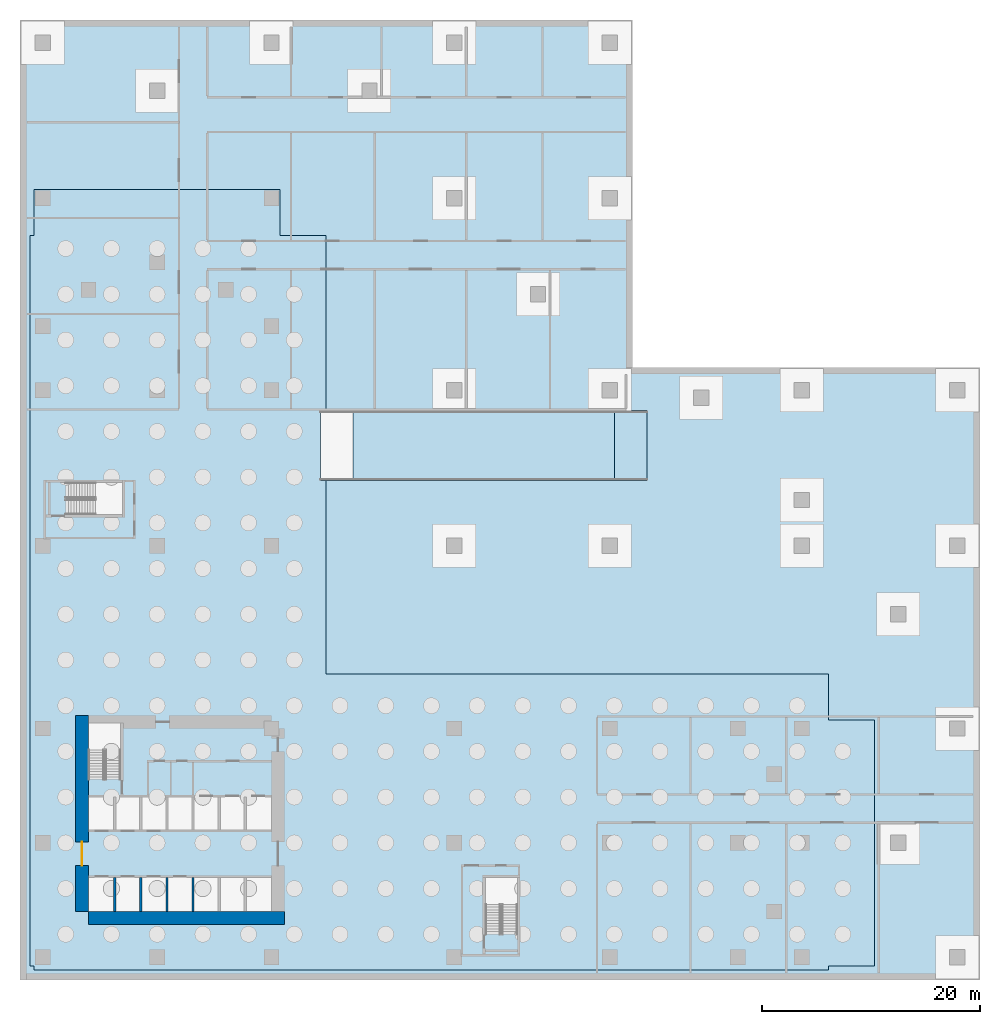
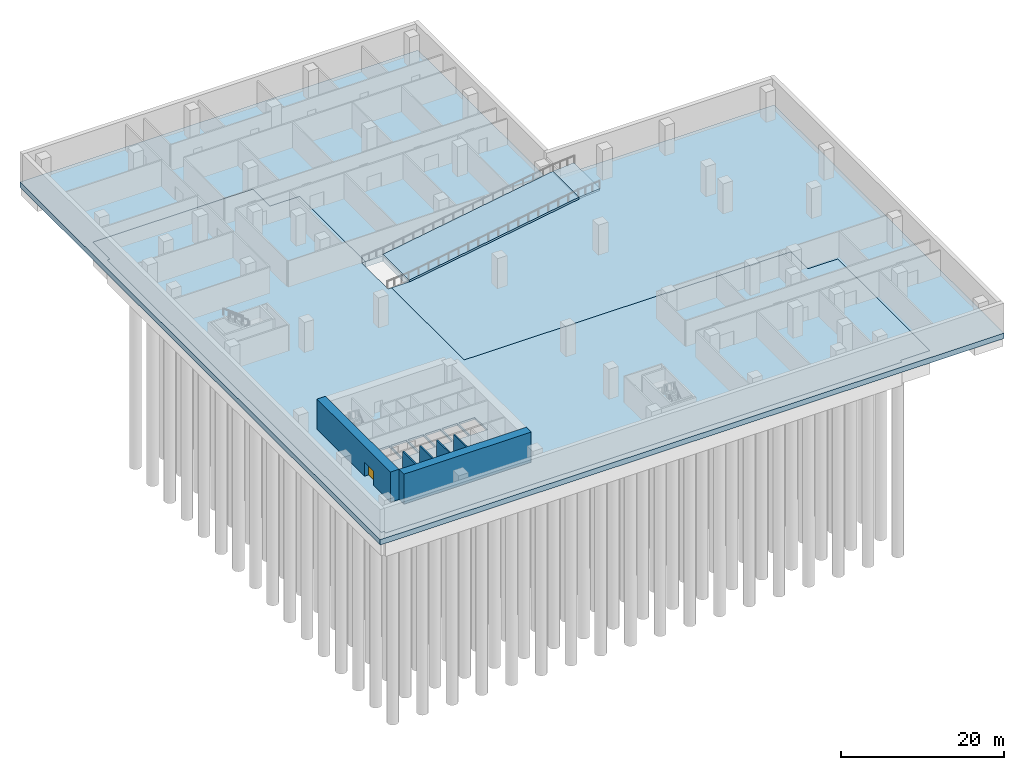
# One storey, part 2 of 13: 6 walls, 4 slabs, 1 door, 1 opening.
"""IFC4 building model written with IfcOpenShell, lengths in metres."""

from ifc_helpers import new_model, si_unit, direction, frame, frame_2d, origin, place, context, subcontext, project, spatial, polyline, rectangle, outline, extrude, source, transform, mapped, material, layer, layer_set, type_object, element, fill, save


model = new_model("IFC4")

# Units and contexts
model_context = context("Model", 3, precision=1e-05, world=origin(), true_north=direction((0.0, 1.0)))
body_context = subcontext(model_context, "Body", "Model", "MODEL_VIEW")
ifc_project = project(units=[si_unit("LENGTHUNIT", "METRE"), si_unit("AREAUNIT", "SQUARE_METRE"), si_unit("VOLUMEUNIT", "CUBIC_METRE"), si_unit("PLANEANGLEUNIT", "RADIAN"), si_unit("MASSUNIT", "GRAM", prefix="KILO")], contexts=[model_context])

# Site, building, storey
site_placement = place(None, origin())
site = spatial("IfcSite", under=ifc_project, at=site_placement, CompositionType="ELEMENT")
building_placement = place(site_placement, origin())
building = spatial("IfcBuilding", under=site, at=building_placement, Name="Aurelian Terraces", CompositionType="ELEMENT")
storey_placement = place(building_placement, frame((0.0, 0.0, -13.5)))
storey = spatial("IfcBuildingStorey", under=building, at=storey_placement, Name="B3", CompositionType="ELEMENT", Elevation=-13.5)

# Slabs
ifc_material_1 = material(Name="Concrete fc' 40 MPa", Category="concrete")
ifc_layer_1 = layer(ifc_material_1, 0.3)
ifc_layer_set_1 = layer_set([ifc_layer_1], Name="BASE SLAB 300")
slab_type_1 = type_object("IfcSlabType", Name="BASE SLAB 300", PredefinedType="BASESLAB", material=ifc_layer_set_1)
slab_1_placement = place(storey_placement, frame((0.0, 0.0, -0.3)))
element("IfcSlab", 1, at=slab_1_placement, inside=storey, type_object=slab_type_1, Name="Base slab over raft 1", PredefinedType="BASESLAB", context=body_context, shape_type="SweptSolid", body=[
    extrude(outline(polyline([(-0.8, 66.32), (-0.8, 70.52), (21.8, 70.52), (21.8, 66.32), (26.0, 66.32), (26.0, 50.1995), (25.5005, 50.1995), (25.5005, 43.8005), (26.0, 43.8005), (26.0, 26.0), (72.2, 26.0), (72.2, 21.8), (76.4, 21.8), (76.4, -0.8), (72.2, -0.8), (72.2, -1.2), (-0.8, -1.2), (-0.8, -0.8), (-1.2, -0.8), (-1.2, 66.32), (-0.8, 66.32)]), holes=[polyline([(4.2, 7.3), (4.2, 4.2), (6.5, 4.2), (6.5, 7.3), (4.2, 7.3)]), polyline([(8.9, 7.3), (6.7, 7.3), (6.7, 4.2), (8.9, 4.2), (8.9, 7.3)]), polyline([(11.3, 7.3), (9.1, 7.3), (9.1, 4.2), (11.3, 4.2), (11.3, 7.3)]), polyline([(13.7, 7.3), (11.5, 7.3), (11.5, 4.2), (13.7, 4.2), (13.7, 7.3)]), polyline([(6.5, 14.7), (4.2, 14.7), (4.2, 11.7), (6.5, 11.7), (6.5, 14.7)]), polyline([(8.9, 14.7), (6.7, 14.7), (6.7, 11.7), (8.9, 11.7), (8.9, 14.7)]), polyline([(11.3, 14.7), (9.1, 14.7), (9.1, 11.7), (11.3, 11.7), (11.3, 14.7)]), polyline([(13.9, 7.3), (13.9, 4.2), (16.1, 4.2), (16.1, 7.3), (13.9, 7.3)]), polyline([(18.5, 7.3), (16.3, 7.3), (16.3, 4.2), (18.5, 4.2), (18.5, 7.3)]), polyline([(21.0, 7.3), (18.7, 7.3), (18.7, 4.2), (21.0, 4.2), (21.0, 7.3)]), polyline([(13.7, 14.7), (11.5, 14.7), (11.5, 11.7), (13.7, 11.7), (13.7, 14.7)]), polyline([(16.1, 14.7), (13.9, 14.7), (13.9, 11.7), (16.1, 11.7), (16.1, 14.7)]), polyline([(18.5, 14.7), (16.3, 14.7), (16.3, 11.7), (18.5, 11.7), (18.5, 14.7)]), polyline([(21.0, 14.7), (18.7, 14.7), (18.7, 11.7), (21.0, 11.7), (21.0, 14.7)])]), origin(), (0.0, 0.0, 1.0), 0.3),
])
ifc_layer_2 = layer(ifc_material_1, 0.8)
ifc_layer_set_2 = layer_set([ifc_layer_2], Name="BASE SLAB 800")
slab_type_2 = type_object("IfcSlabType", Name="BASE SLAB 800", PredefinedType="BASESLAB", material=ifc_layer_set_2)
slab_2_placement = place(storey_placement, frame((0.0, 0.0, -0.8)))
element("IfcSlab", 2, at=slab_2_placement, inside=storey, type_object=slab_type_2, Name="Base slab 1", PredefinedType="BASESLAB", context=body_context, shape_type="SweptSolid", body=[
    extrude(outline(polyline([(54.18, -2.1), (-2.1, -2.1), (-2.1, 54.18), (-2.1, 86.1), (54.18, 86.1), (54.18, 54.18), (86.1, 54.18), (86.1, -2.1), (54.18, -2.1)]), holes=[polyline([(-0.8, -1.2), (72.2, -1.2), (72.2, -0.8), (76.4, -0.8), (76.4, 21.8), (72.2, 21.8), (72.2, 26.0), (26.0, 26.0), (26.0, 43.8005), (28.5, 43.8005), (28.5, 50.1995), (26.0, 50.1995), (26.0, 66.32), (21.8, 66.32), (21.8, 70.52), (-0.8, 70.52), (-0.8, 66.32), (-1.2, 66.32), (-1.2, -0.8), (-0.8, -0.8), (-0.8, -1.2)])]), origin(), (0.0, 0.0, 1.0), 0.8),
])
ifc_layer_3 = layer(ifc_material_1, 0.3)
ifc_layer_set_3 = layer_set([ifc_layer_3], Name="CAR PARK RAMP SLAB 300 FC40")
slab_type_3 = type_object("IfcSlabType", Name="CAR PARK RAMP SLAB 300 FC40", PredefinedType="FLOOR", material=ifc_layer_set_3)
slab_3_placement = place(storey_placement, frame((28.5, 43.8, 0.25), z_axis=(0.0, 0.0, 1.0), x_axis=(1.0, 0.0, 0.0)))
element("IfcSlab", 3, at=slab_3_placement, inside=storey, type_object=slab_type_3, Name="Car park ramp R3 slab piece 2", PredefinedType="FLOOR", context=body_context, shape_type="SweptSolid", body=[
    extrude(outline(polyline([(0.0, 0.0), (24.0, 4.0), (24.0, 3.7), (0.0, -0.3), (0.0, 0.0)])), frame((0.0, 6.4, 0.0), z_axis=(0.0, -1.0, 0.0), x_axis=(1.0, 0.0, 0.0)), (0.0, 0.0, 1.0), 6.4),
])
slab_4_placement = place(storey_placement, frame((52.5, 43.8, 4.25), z_axis=(0.0, 0.0, 1.0), x_axis=(1.0, 0.0, 0.0)))
element("IfcSlab", 4, at=slab_4_placement, inside=storey, type_object=slab_type_3, Name="Car park ramp R3 slab piece 3", PredefinedType="FLOOR", context=body_context, shape_type="SweptSolid", body=[
    extrude(outline(polyline([(0.0, 0.0), (3.0, 0.25), (3.0, -0.05), (0.0, -0.3), (0.0, 0.0)])), frame((0.0, 6.4, 0.0), z_axis=(0.0, -1.0, 0.0), x_axis=(1.0, 0.0, 0.0)), (0.0, 0.0, 1.0), 6.4),
])

# Wall, opening, door
ifc_material_2 = material(Name="Concrete fc' 83 MPa", Category="concrete")
ifc_layer_4 = layer(ifc_material_2, 1.2)
ifc_layer_set_4 = layer_set([ifc_layer_4], Name="CORE WALL 1200 FC83")
wall_type_1 = type_object("IfcWallType", Name="CORE WALL 1200 FC83", PredefinedType="SHEAR", material=ifc_layer_set_4)
wall_1_placement = place(storey_placement, frame((3.6, 4.2, 0.0), z_axis=(0.0, 0.0, 1.0), x_axis=(0.0, 1.0, 0.0)))
wall_1 = element("IfcWall", 5, at=wall_1_placement, inside=storey, type_object=wall_type_1, Name="Core wall W B3", PredefinedType="SHEAR", context=body_context, shape_type="SweptSolid", body=[
    extrude(rectangle(XDim=18.0, YDim=1.2, at=frame_2d((9.0, 0.0))), origin(), (0.0, 0.0, 1.0), 4.5),
])
shared_shape_1 = source(origin(), body_context, "Body", "SweptSolid", [
    extrude(rectangle(XDim=2.2, YDim=2.1, at=frame_2d((1.1, 1.05))), frame((0.0, 0.61, 0.0), z_axis=(0.0, -1.0, 0.0), x_axis=(1.0, 0.0, 0.0)), (0.0, 0.0, 1.0), 1.22),
])
opening_placement = place(wall_1_placement, frame((4.2, 0.0, 0.0)))
opening = element("IfcOpeningElement", 6, at=opening_placement, cuts=wall_1, Name="Opening 60021", PredefinedType="OPENING", context=body_context, shape_type="MappedRepresentation", body=[
    mapped(shared_shape_1, transform((0.0, 0.0, 0.0), scale=1.0)),
])
ifc_material_3 = material(Name="Steel door leaf", Category="steel")
door_type = type_object("IfcDoorType", Name="Core double door 2200x2100", OperationType="DOUBLE_DOOR_SINGLE_SWING", PredefinedType="DOOR", material=ifc_material_3)
shared_shape_2 = source(origin(), body_context, "Body", "SweptSolid", [
    extrude(rectangle(XDim=2.2, YDim=2.1, at=frame_2d((1.1, 1.05))), frame((0.0, 0.025, 0.0), z_axis=(0.0, -1.0, 0.0), x_axis=(1.0, 0.0, 0.0)), (0.0, 0.0, 1.0), 0.05),
])
door_placement = place(opening_placement, origin())
door = element("IfcDoor", 7, at=door_placement, inside=storey, type_object=door_type, Name="Core door 60021", OperationType="DOUBLE_DOOR_SINGLE_SWING", OverallHeight=2.1, OverallWidth=2.2, PredefinedType="DOOR", context=body_context, shape_type="MappedRepresentation", body=[
    mapped(shared_shape_2, transform((0.0, 0.0, 0.0), scale=1.0)),
])
fill(opening, door)

# Walls
ifc_layer_5 = layer(ifc_material_1, 0.2)
ifc_layer_set_5 = layer_set([ifc_layer_5], Name="Lift shaft wall 200")
wall_type_2 = type_object("IfcWallType", Name="Lift shaft wall 200", PredefinedType="SOLIDWALL", material=ifc_layer_set_5)
wall_2_placement = place(storey_placement, frame((6.6, 4.2, 0.0), z_axis=(0.0, 0.0, 1.0), x_axis=(0.0, 1.0, 0.0)))
element("IfcWall", 8, at=wall_2_placement, inside=storey, type_object=wall_type_2, Name="B3 core wall CD-A1", PredefinedType="SOLIDWALL", context=body_context, shape_type="SweptSolid", body=[
    extrude(rectangle(XDim=3.1, YDim=0.2, at=frame_2d((1.55, 0.0))), origin(), (0.0, 0.0, 1.0), 4.5),
])
shared_shape_3 = source(origin(), body_context, "Body", "SweptSolid", [
    extrude(rectangle(XDim=18.0, YDim=1.2, at=frame_2d((9.0, 0.0))), origin(), (0.0, 0.0, 1.0), 4.5),
])
wall_3_placement = place(storey_placement, frame((4.2, 3.6, 0.0), z_axis=(0.0, 0.0, 1.0), x_axis=(1.0, 0.0, 0.0)))
element("IfcWall", 9, at=wall_3_placement, inside=storey, type_object=wall_type_1, Name="Core wall S B3", PredefinedType="SHEAR", context=body_context, shape_type="MappedRepresentation", body=[
    mapped(shared_shape_3, transform((0.0, 0.0, 0.0), scale=1.0)),
])
shared_shape_4 = source(origin(), body_context, "Body", "SweptSolid", [
    extrude(rectangle(XDim=3.1, YDim=0.2, at=frame_2d((1.55, 0.0))), origin(), (0.0, 0.0, 1.0), 4.5),
])
for number, where, z_axis, x_axis, name in (
    (10, (9.0, 4.2, 0.0), (0.0, 0.0, 1.0), (0.0, 1.0, 0.0), "B3 core wall CD-A2"),
    (11, (11.4, 4.2, 0.0), (0.0, 0.0, 1.0), (0.0, 1.0, 0.0), "B3 core wall CD-A3"),
    (12, (13.8, 4.2, 0.0), (0.0, 0.0, 1.0), (0.0, 1.0, 0.0), "B3 core wall CD-A4"),
):
    element("IfcWall", number, at=place(storey_placement, frame(where, z_axis=z_axis, x_axis=x_axis)), inside=storey, type_object=wall_type_2, Name=name, PredefinedType="SOLIDWALL", context=body_context, shape_type="MappedRepresentation", body=[
        mapped(shared_shape_4, transform((0.0, 0.0, 0.0), scale=1.0)),
    ])

save(model, "model.ifc")
